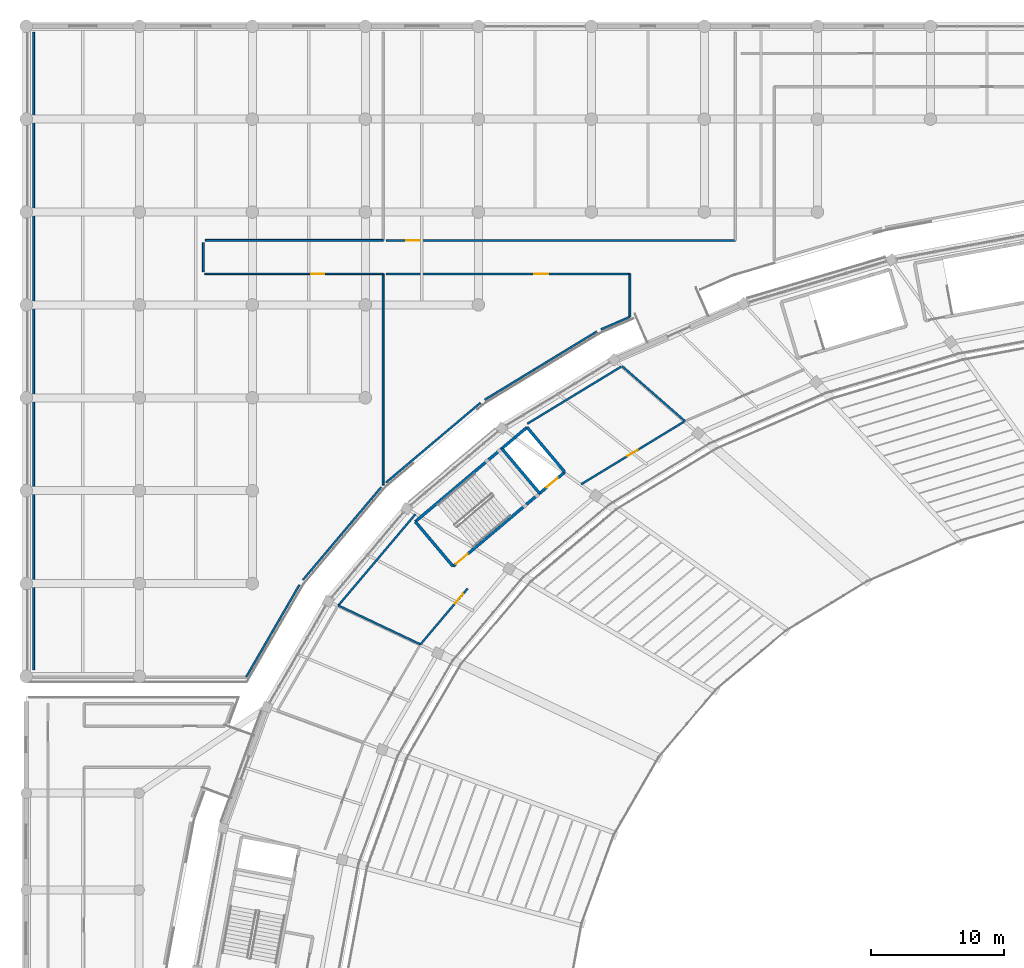
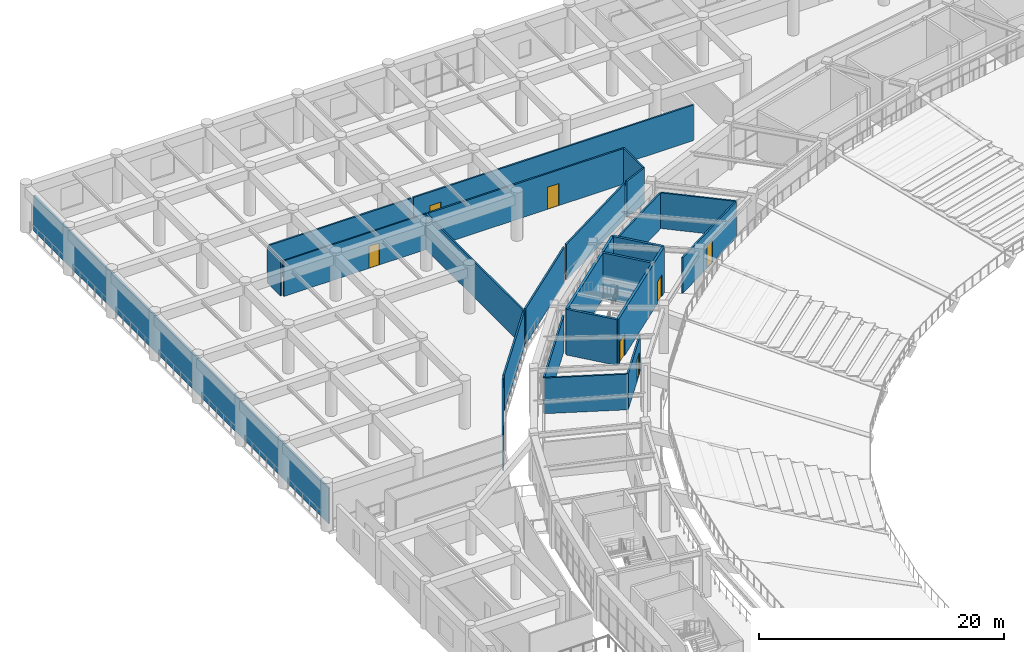
# One storey, part 102 of 137: 24 walls, 7 doors, 7 openings.
"""IFC4 building model written with IfcOpenShell, lengths in metres."""

from ifc_helpers import new_model, si_unit, direction, frame, frame_2d, origin, place, context, subcontext, project, spatial, rectangle, extrude, material, layer, layer_set, type_object, element, fill, save


model = new_model("IFC4")

# Units and contexts
model_context = context("Model", 3, precision=1e-05, world=origin(), true_north=direction((0.0, 1.0)))
body_context = subcontext(model_context, "Body", "Model", "MODEL_VIEW")
ifc_project = project(units=[si_unit("LENGTHUNIT", "METRE"), si_unit("AREAUNIT", "SQUARE_METRE"), si_unit("VOLUMEUNIT", "CUBIC_METRE"), si_unit("PLANEANGLEUNIT", "RADIAN"), si_unit("MASSUNIT", "GRAM", prefix="KILO")], contexts=[model_context])

# Site, building, storey
site_placement = place(None, origin())
site = spatial("IfcSite", under=ifc_project, at=site_placement, CompositionType="ELEMENT")
building_placement = place(site_placement, origin())
building = spatial("IfcBuilding", under=site, at=building_placement, Name="Mphavela Belvedere Stadium", CompositionType="ELEMENT")
storey_placement = place(building_placement, frame((0.0, 0.0, 19.199951171875)))
storey = spatial("IfcBuildingStorey", under=building, at=storey_placement, Name="L04", CompositionType="ELEMENT", Elevation=19.199951171875)

# Walls
ifc_material_1 = material(Name="Concrete C40/50", Category="concrete")
ifc_layer_1 = layer(ifc_material_1, 0.219970703125)
ifc_layer_set_1 = layer_set([ifc_layer_1], Name="Concrete C40/50")
wall_type_1 = type_object("IfcWallType", Name="WAL-CORE-SHEAR-220", PredefinedType="SHEAR", material=ifc_layer_set_1)
wall_1_placement = place(storey_placement, frame((29.318603515625, 136.666015625, 0.0), z_axis=(0.0, 0.0, 1.0), x_axis=(0.764247804305, 0.644922703598, 0.0)))
element("IfcWall", 1, at=wall_1_placement, inside=storey, type_object=wall_type_1, Name="Core C05 shear wall L04 rear", PredefinedType="SHEAR", context=body_context, shape_type="SweptSolid", body=[
    extrude(rectangle(XDim=11.019775390625, YDim=0.219970703125, at=frame_2d((5.509765625, 0.0))), origin(), (0.0, 0.0, 1.0), 4.550048828125),
])
wall_2_placement = place(storey_placement, frame((32.16259765625, 133.295654296875, 0.0), z_axis=(0.0, 0.0, 1.0), x_axis=(-0.644904288042, 0.764263344185, 0.0)))
element("IfcWall", 2, at=wall_2_placement, inside=storey, type_object=wall_type_1, Name="Core C05 shear wall L04 left", PredefinedType="SHEAR", context=body_context, shape_type="SweptSolid", body=[
    extrude(rectangle(XDim=4.409912109375, YDim=0.219970703125, at=frame_2d((2.205078125, 0.0))), origin(), (0.0, 0.0, 1.0), 4.550048828125),
])
wall_3_placement = place(storey_placement, frame((40.584716796875, 140.402587890625, 0.0), z_axis=(0.0, 0.0, 1.0), x_axis=(-0.644936622785, 0.764236058159, 0.0)))
element("IfcWall", 3, at=wall_3_placement, inside=storey, type_object=wall_type_1, Name="Core C05 shear wall L04 right", PredefinedType="SHEAR", context=body_context, shape_type="SweptSolid", body=[
    extrude(rectangle(XDim=4.41015625, YDim=0.219970703125, at=frame_2d((2.205078125, 0.0))), origin(), (0.0, 0.0, 1.0), 4.550048828125),
])

# Wall, openings, doors
wall_4_placement = place(storey_placement, frame((32.16259765625, 133.295654296875, 0.0), z_axis=(0.0, 0.0, 1.0), x_axis=(0.764257018762, 0.644911784102, 0.0)))
wall_4 = element("IfcWall", 4, at=wall_4_placement, inside=storey, type_object=wall_type_1, Name="Core C05 shear wall L04 front", PredefinedType="SHEAR", context=body_context, shape_type="SweptSolid", body=[
    extrude(rectangle(XDim=11.02001953125, YDim=0.219970703125, at=frame_2d((5.510009765625, 0.0))), origin(), (0.0, 0.0, 1.0), 4.550048828125),
])
opening_1_placement = place(wall_4_placement, frame((0.300048828125, 0.0, 0.0)))
opening_1 = element("IfcOpeningElement", 5, at=opening_1_placement, cuts=wall_4, Name="Opening SD-025", PredefinedType="OPENING", context=body_context, shape_type="SweptSolid", body=[
    extrude(rectangle(XDim=1.14990234375, YDim=2.14990234375, at=frame_2d((0.574951171875, 1.074951171875))), frame((0.0, 0.1201171875, 0.0), z_axis=(0.0, -1.0, 0.0), x_axis=(1.0, 0.0, 0.0)), (0.0, 0.0, 1.0), 0.239990234375),
])
opening_2_placement = place(wall_4_placement, frame((9.22998046875, 0.0, 0.0)))
opening_2 = element("IfcOpeningElement", 6, at=opening_2_placement, cuts=wall_4, Name="Opening LD-025", PredefinedType="OPENING", context=body_context, shape_type="SweptSolid", body=[
    extrude(rectangle(XDim=1.10009765625, YDim=2.14990234375, at=frame_2d((0.550048828125, 1.074951171875))), frame((0.0, 0.1201171875, 0.0), z_axis=(0.0, -1.0, 0.0), x_axis=(1.0, 0.0, 0.0)), (0.0, 0.0, 1.0), 0.239990234375),
])
ifc_material_2 = material(Name="Stainless steel center-parting lift landing door", Category="steel")
door_type_1 = type_object("IfcDoorType", Name="DR-LIFT-SLIDE-1100", OperationType="NOTDEFINED", PredefinedType="DOOR", material=ifc_material_2)
door_1_placement = place(opening_2_placement, origin())
door_1 = element("IfcDoor", 7, at=door_1_placement, inside=storey, type_object=door_type_1, Name="Lift landing sliding door PL02 L04", OperationType="DOUBLE_DOOR_SLIDING", OverallHeight=2.14990234375, OverallWidth=1.10009765625, PredefinedType="DOOR", context=body_context, shape_type="SweptSolid", body=[
    extrude(rectangle(XDim=1.10009765625, YDim=2.14990234375, at=frame_2d((0.550048828125, 1.074951171875))), frame((0.0, 0.02490234375, 0.0), z_axis=(0.0, -1.0, 0.0), x_axis=(1.0, 0.0, 0.0)), (0.0, 0.0, 1.0), 0.050048828125),
])
fill(opening_2, door_1)
ifc_material_3 = material(Name="Steel acoustic fire-resisting stair doorset", Category="steel")
door_type_2 = type_object("IfcDoorType", Name="DR-STAIR-FIRE-1150", OperationType="NOTDEFINED", PredefinedType="DOOR", material=ifc_material_3)
door_2_placement = place(opening_1_placement, origin())
door_2 = element("IfcDoor", 8, at=door_2_placement, inside=storey, type_object=door_type_2, Name="Escape stair fire door C05 L04", OperationType="SINGLE_SWING_LEFT", OverallHeight=2.14990234375, OverallWidth=1.14990234375, PredefinedType="DOOR", context=body_context, shape_type="SweptSolid", body=[
    extrude(rectangle(XDim=1.14990234375, YDim=2.14990234375, at=frame_2d((0.574951171875, 1.074951171875))), frame((0.0, 0.02490234375, 0.0), z_axis=(0.0, -1.0, 0.0), x_axis=(1.0, 0.0, 0.0)), (0.0, 0.0, 1.0), 0.050048828125),
])
fill(opening_1, door_2)

# Wall
wall_5_placement = place(storey_placement, frame((38.689208984375, 138.80322265625, 0.0), z_axis=(0.0, 0.0, 1.0), x_axis=(-0.644904288042, 0.764263344185, 0.0)))
element("IfcWall", 9, at=wall_5_placement, inside=storey, type_object=wall_type_1, Name="Core C05 shear wall L04 div", PredefinedType="SHEAR", context=body_context, shape_type="SweptSolid", body=[
    extrude(rectangle(XDim=4.409912109375, YDim=0.219970703125, at=frame_2d((2.205078125, 0.0))), origin(), (0.0, 0.0, 1.0), 4.550048828125),
])

# Wall, opening, door
ifc_material_4 = material(Name="Moisture-resistant sanitary partition assembly")
ifc_layer_2 = layer(ifc_material_4, 0.125)
ifc_layer_set_2 = layer_set([ifc_layer_2], Name="Moisture-resistant sanitary partition assembly")
wall_type_2 = type_object("IfcWallType", Name="WAL-PART-125", PredefinedType="PARTITIONING", material=ifc_layer_set_2)
wall_6_placement = place(storey_placement, frame((13.46875, 155.343017578125, 0.0), z_axis=(0.0, 0.0, 1.0), x_axis=(0.99999997621, -0.00021812629, 0.0)))
wall_6 = element("IfcWall", 10, at=wall_6_placement, inside=storey, type_object=wall_type_2, Name="Room L04-114 corridor partition", PredefinedType="PARTITIONING", context=body_context, shape_type="SweptSolid", body=[
    extrude(rectangle(XDim=13.43115234375, YDim=0.125, at=frame_2d((6.715576171875, 0.0))), origin(), (0.0, 0.0, 1.0), 3.550048828125),
])
opening_3_placement = place(wall_6_placement, frame((7.997314453125, 0.0, 0.0)))
opening_3 = element("IfcOpeningElement", 11, at=opening_3_placement, cuts=wall_6, Name="Opening ID-483", PredefinedType="OPENING", context=body_context, shape_type="SweptSolid", body=[
    extrude(rectangle(XDim=0.97998046875, YDim=2.199951171875, at=frame_2d((0.489990234375, 1.10009765625))), frame((0.0, 0.072509765625, 0.0), z_axis=(0.0, -1.0, 0.0), x_axis=(1.0, 0.0, 0.0)), (0.0, 0.0, 1.0), 0.14501953125),
])
ifc_material_5 = material(Name="Hardwood acoustic timber doorset", Category="wood")
door_type_3 = type_object("IfcDoorType", Name="DR-INT-15", OperationType="NOTDEFINED", PredefinedType="DOOR", material=ifc_material_5)
door_3_placement = place(opening_3_placement, origin())
door_3 = element("IfcDoor", 12, at=door_3_placement, inside=storey, type_object=door_type_3, Name="Room L04-114 entrance door ID-483", OperationType="SINGLE_SWING_LEFT", OverallHeight=2.199951171875, OverallWidth=0.97998046875, PredefinedType="DOOR", context=body_context, shape_type="SweptSolid", body=[
    extrude(rectangle(XDim=0.97998046875, YDim=2.199951171875, at=frame_2d((0.489990234375, 1.10009765625))), frame((0.0, 0.02490234375, 0.0), z_axis=(0.0, -1.0, 0.0), x_axis=(1.0, 0.0, 0.0)), (0.0, 0.0, 1.0), 0.050048828125),
])
fill(opening_3, door_3)

ifc_material_6 = material(Name="Acoustic gypsum stud partition assembly")
ifc_layer_3 = layer(ifc_material_6, 0.14990234375)
ifc_layer_set_3 = layer_set([ifc_layer_3], Name="Acoustic gypsum stud partition assembly")
wall_type_3 = type_object("IfcWallType", Name="WAL-PART-150", PredefinedType="PARTITIONING", material=ifc_layer_set_3)
wall_7_placement = place(storey_placement, frame((49.572021484375, 144.197998046875, 0.0), z_axis=(0.0, 0.0, 1.0), x_axis=(-0.85432634766, -0.519736944707, 0.0)))
wall_7 = element("IfcWall", 13, at=wall_7_placement, inside=storey, type_object=wall_type_3, Name="Room L04-59 corridor partition", PredefinedType="PARTITIONING", context=body_context, shape_type="SweptSolid", body=[
    extrude(rectangle(XDim=9.073486328125, YDim=0.14990234375, at=frame_2d((4.53662109375, 0.0))), origin(), (0.0, 0.0, 1.0), 3.550048828125),
])
opening_4_placement = place(wall_7_placement, frame((4.086669921875, 0.0, 0.0)))
opening_4 = element("IfcOpeningElement", 14, at=opening_4_placement, cuts=wall_7, Name="Opening ID-337", PredefinedType="OPENING", context=body_context, shape_type="SweptSolid", body=[
    extrude(rectangle(XDim=0.89990234375, YDim=2.199951171875, at=frame_2d((0.449951171875, 1.10009765625))), frame((0.0, 0.0849609375, 0.0), z_axis=(0.0, -1.0, 0.0), x_axis=(1.0, 0.0, 0.0)), (0.0, 0.0, 1.0), 0.169921875),
])
ifc_material_7 = material(Name="Hardwood acoustic timber doorset", Category="wood")
door_type_4 = type_object("IfcDoorType", Name="DR-INT-13", OperationType="NOTDEFINED", PredefinedType="DOOR", material=ifc_material_7)
door_4_placement = place(opening_4_placement, origin())
door_4 = element("IfcDoor", 15, at=door_4_placement, inside=storey, type_object=door_type_4, Name="Room L04-59 entrance door ID-337", OperationType="SINGLE_SWING_LEFT", OverallHeight=2.199951171875, OverallWidth=0.89990234375, PredefinedType="DOOR", context=body_context, shape_type="SweptSolid", body=[
    extrude(rectangle(XDim=0.89990234375, YDim=2.199951171875, at=frame_2d((0.449951171875, 1.10009765625))), frame((0.0, 0.02490234375, 0.0), z_axis=(0.0, -1.0, 0.0), x_axis=(1.0, 0.0, 0.0)), (0.0, 0.0, 1.0), 0.050048828125),
])
fill(opening_4, door_4)

wall_8_placement = place(storey_placement, frame((33.260498046875, 131.622314453125, 0.0), z_axis=(0.0, 0.0, 1.0), x_axis=(-0.645138826346, -0.764065373343, 0.0)))
wall_8 = element("IfcWall", 16, at=wall_8_placement, inside=storey, type_object=wall_type_3, Name="Room L04-62 corridor partition", PredefinedType="PARTITIONING", context=body_context, shape_type="SweptSolid", body=[
    extrude(rectangle(XDim=5.505859375, YDim=0.14990234375, at=frame_2d((2.7529296875, 0.0))), origin(), (0.0, 0.0, 1.0), 3.550048828125),
])
opening_5_placement = place(wall_8_placement, frame((0.516357421875, 0.0, 0.0)))
opening_5 = element("IfcOpeningElement", 17, at=opening_5_placement, cuts=wall_8, Name="Opening ID-338", PredefinedType="OPENING", context=body_context, shape_type="SweptSolid", body=[
    extrude(rectangle(XDim=0.93994140625, YDim=2.199951171875, at=frame_2d((0.469970703125, 1.10009765625))), frame((0.0, 0.0849609375, 0.0), z_axis=(0.0, -1.0, 0.0), x_axis=(1.0, 0.0, 0.0)), (0.0, 0.0, 1.0), 0.169921875),
])
ifc_material_8 = material(Name="Hardwood acoustic timber doorset", Category="wood")
door_type_5 = type_object("IfcDoorType", Name="DR-INT-14", OperationType="NOTDEFINED", PredefinedType="DOOR", material=ifc_material_8)
door_5_placement = place(opening_5_placement, origin())
door_5 = element("IfcDoor", 18, at=door_5_placement, inside=storey, type_object=door_type_5, Name="Room L04-62 entrance door ID-338", OperationType="SINGLE_SWING_RIGHT", OverallHeight=2.199951171875, OverallWidth=0.93994140625, PredefinedType="DOOR", context=body_context, shape_type="SweptSolid", body=[
    extrude(rectangle(XDim=0.93994140625, YDim=2.199951171875, at=frame_2d((0.469970703125, 1.10009765625))), frame((0.0, 0.02490234375, 0.0), z_axis=(0.0, -1.0, 0.0), x_axis=(1.0, 0.0, 0.0)), (0.0, 0.0, 1.0), 0.050048828125),
])
fill(opening_5, door_5)

wall_9_placement = place(storey_placement, frame((53.449951171875, 157.860107421875, 0.0), z_axis=(0.0, 0.0, 1.0), x_axis=(-1.0, 0.0, 0.0)))
wall_9 = element("IfcWall", 19, at=wall_9_placement, inside=storey, type_object=wall_type_3, Name="Room L04-115 corridor partition", PredefinedType="PARTITIONING", context=body_context, shape_type="SweptSolid", body=[
    extrude(rectangle(XDim=26.349853515625, YDim=0.14990234375, at=frame_2d((13.1748046875, 0.0))), origin(), (0.0, 0.0, 1.0), 3.550048828125),
])
opening_6_placement = place(wall_9_placement, frame((23.775390625, 0.0, 0.0)))
opening_6 = element("IfcOpeningElement", 20, at=opening_6_placement, cuts=wall_9, Name="Opening ID-484", PredefinedType="OPENING", context=body_context, shape_type="SweptSolid", body=[
    extrude(rectangle(XDim=1.02001953125, YDim=2.199951171875, at=frame_2d((0.510009765625, 1.10009765625))), frame((0.0, 0.0849609375, 0.0), z_axis=(0.0, -1.0, 0.0), x_axis=(1.0, 0.0, 0.0)), (0.0, 0.0, 1.0), 0.169921875),
])
ifc_material_9 = material(Name="Hardwood acoustic timber doorset", Category="wood")
door_type_6 = type_object("IfcDoorType", Name="DR-INT-16", OperationType="NOTDEFINED", PredefinedType="DOOR", material=ifc_material_9)
door_6_placement = place(opening_6_placement, origin())
door_6 = element("IfcDoor", 21, at=door_6_placement, inside=storey, type_object=door_type_6, Name="Room L04-115 entrance door ID-484", OperationType="SINGLE_SWING_RIGHT", OverallHeight=2.199951171875, OverallWidth=1.02001953125, PredefinedType="DOOR", context=body_context, shape_type="SweptSolid", body=[
    extrude(rectangle(XDim=1.02001953125, YDim=2.199951171875, at=frame_2d((0.510009765625, 1.10009765625))), frame((0.0, 0.02490234375, 0.0), z_axis=(0.0, -1.0, 0.0), x_axis=(1.0, 0.0, 0.0)), (0.0, 0.0, 1.0), 0.050048828125),
])
fill(opening_6, door_6)

wall_10_placement = place(storey_placement, frame((27.10009765625, 155.340087890625, 0.0), z_axis=(0.0, 0.0, 1.0), x_axis=(1.0, 0.0, 0.0)))
wall_10 = element("IfcWall", 22, at=wall_10_placement, inside=storey, type_object=wall_type_3, Name="Room L04-116 corridor partition", PredefinedType="PARTITIONING", context=body_context, shape_type="SweptSolid", body=[
    extrude(rectangle(XDim=18.389892578125, YDim=0.14990234375, at=frame_2d((9.19482421875, 0.0))), origin(), (0.0, 0.0, 1.0), 3.550048828125),
])
opening_7_placement = place(wall_10_placement, frame((11.16845703125, 0.0, 0.0)))
opening_7 = element("IfcOpeningElement", 23, at=opening_7_placement, cuts=wall_10, Name="Opening ID-485", PredefinedType="OPENING", context=body_context, shape_type="SweptSolid", body=[
    extrude(rectangle(XDim=1.06005859375, YDim=2.199951171875, at=frame_2d((0.530029296875, 1.10009765625))), frame((0.0, 0.0849609375, 0.0), z_axis=(0.0, -1.0, 0.0), x_axis=(1.0, 0.0, 0.0)), (0.0, 0.0, 1.0), 0.169921875),
])
ifc_material_10 = material(Name="Hardwood acoustic timber doorset", Category="wood")
door_type_7 = type_object("IfcDoorType", Name="DR-INT-17", OperationType="NOTDEFINED", PredefinedType="DOOR", material=ifc_material_10)
door_7_placement = place(opening_7_placement, origin())
door_7 = element("IfcDoor", 24, at=door_7_placement, inside=storey, type_object=door_type_7, Name="Room L04-116 entrance door ID-485", OperationType="SINGLE_SWING_LEFT", OverallHeight=2.199951171875, OverallWidth=1.06005859375, PredefinedType="DOOR", context=body_context, shape_type="SweptSolid", body=[
    extrude(rectangle(XDim=1.06005859375, YDim=2.199951171875, at=frame_2d((0.530029296875, 1.10009765625))), frame((0.0, 0.02490234375, 0.0), z_axis=(0.0, -1.0, 0.0), x_axis=(1.0, 0.0, 0.0)), (0.0, 0.0, 1.0), 0.050048828125),
])
fill(opening_7, door_7)

# Walls
wall_11_placement = place(storey_placement, frame((49.646484375, 144.239013671875, 0.0), z_axis=(0.0, 0.0, 1.0), x_axis=(-0.752567080438, 0.658515595442, 0.0)))
element("IfcWall", 25, at=wall_11_placement, inside=storey, type_object=wall_type_3, Name="Room divider partition L04-0605", PredefinedType="PARTITIONING", context=body_context, shape_type="SweptSolid", body=[
    extrude(rectangle(XDim=6.292236328125, YDim=0.14990234375, at=frame_2d((3.14599609375, 0.0))), origin(), (0.0, 0.0, 1.0), 3.550048828125),
])
wall_12_placement = place(storey_placement, frame((37.76171875, 144.04248046875, 0.0), z_axis=(0.0, 0.0, 1.0), x_axis=(0.85430675497, 0.519769149154, 0.0)))
element("IfcWall", 26, at=wall_12_placement, inside=storey, type_object=wall_type_3, Name="Room divider partition L04-0606", PredefinedType="PARTITIONING", context=body_context, shape_type="SweptSolid", body=[
    extrude(rectangle(XDim=8.27734375, YDim=0.14990234375, at=frame_2d((4.138671875, 0.0))), origin(), (0.0, 0.0, 1.0), 3.550048828125),
])
wall_13_placement = place(storey_placement, frame((29.70849609375, 127.41552734375, 0.0), z_axis=(0.0, 0.0, 1.0), x_axis=(-0.903864816712, 0.42781817763, 0.0)))
element("IfcWall", 27, at=wall_13_placement, inside=storey, type_object=wall_type_3, Name="Room divider partition L04-0607", PredefinedType="PARTITIONING", context=body_context, shape_type="SweptSolid", body=[
    extrude(rectangle(XDim=6.84912109375, YDim=0.14990234375, at=frame_2d((3.424560546875, 0.0))), origin(), (0.0, 0.0, 1.0), 3.550048828125),
])
wall_14_placement = place(storey_placement, frame((23.517822265625, 130.345703125, 0.0), z_axis=(0.0, 0.0, 1.0), x_axis=(0.645159696095, 0.764047751475, 0.0)))
element("IfcWall", 28, at=wall_14_placement, inside=storey, type_object=wall_type_3, Name="Room divider partition L04-0608", PredefinedType="PARTITIONING", context=body_context, shape_type="SweptSolid", body=[
    extrude(rectangle(XDim=8.99658203125, YDim=0.14990234375, at=frame_2d((4.498291015625, 0.0))), origin(), (0.0, 0.0, 1.0), 3.550048828125),
])
wall_15_placement = place(storey_placement, frame((13.340087890625, 157.699951171875, 0.0), z_axis=(0.0, 0.0, 1.0), x_axis=(0.000330578494, -0.999999945359, 0.0)))
element("IfcWall", 29, at=wall_15_placement, inside=storey, type_object=wall_type_3, Name="Room divider partition L04-1086", PredefinedType="PARTITIONING", context=body_context, shape_type="SweptSolid", body=[
    extrude(rectangle(XDim=2.215576171875, YDim=0.14990234375, at=frame_2d((1.10791015625, 0.0))), origin(), (0.0, 0.0, 1.0), 3.550048828125),
])
wall_16_placement = place(storey_placement, frame((26.89990234375, 155.340087890625, 0.0), z_axis=(0.0, 0.0, 1.0), x_axis=(0.0, -1.0, 0.0)))
element("IfcWall", 30, at=wall_16_placement, inside=storey, type_object=wall_type_3, Name="Room divider partition L04-1087", PredefinedType="PARTITIONING", context=body_context, shape_type="SweptSolid", body=[
    extrude(rectangle(XDim=15.9130859375, YDim=0.14990234375, at=frame_2d((7.95654296875, 0.0))), origin(), (0.0, 0.0, 1.0), 3.550048828125),
])
wall_17_placement = place(storey_placement, frame((26.751708984375, 139.266357421875, 0.0), z_axis=(0.0, 0.0, 1.0), x_axis=(-0.645180125691, -0.764030500316, 0.0)))
element("IfcWall", 31, at=wall_17_placement, inside=storey, type_object=wall_type_3, Name="Room divider partition L04-1088", PredefinedType="PARTITIONING", context=body_context, shape_type="SweptSolid", body=[
    extrude(rectangle(XDim=9.1513671875, YDim=0.14990234375, at=frame_2d((4.57568359375, 0.0))), origin(), (0.0, 0.0, 1.0), 3.550048828125),
])
wall_18_placement = place(storey_placement, frame((20.59326171875, 131.912841796875, 0.0), z_axis=(0.0, 0.0, 1.0), x_axis=(-0.500545605998, -0.865710168773, 0.0)))
element("IfcWall", 32, at=wall_18_placement, inside=storey, type_object=wall_type_3, Name="Room divider partition L04-1089", PredefinedType="PARTITIONING", context=body_context, shape_type="SweptSolid", body=[
    extrude(rectangle(XDim=8.04296875, YDim=0.14990234375, at=frame_2d((4.021484375, 0.0))), origin(), (0.0, 0.0, 1.0), 3.550048828125),
])
wall_19_placement = place(storey_placement, frame((0.550048828125, 125.5, 0.0), z_axis=(0.0, 0.0, 1.0), x_axis=(0.0, 1.0, 0.0)))
element("IfcWall", 33, at=wall_19_placement, inside=storey, type_object=wall_type_3, Name="Room divider partition L04-1091", PredefinedType="PARTITIONING", context=body_context, shape_type="SweptSolid", body=[
    extrude(rectangle(XDim=48.050048828125, YDim=0.14990234375, at=frame_2d((24.02490234375, 0.0))), origin(), (0.0, 0.0, 1.0), 3.550048828125),
])
wall_20_placement = place(storey_placement, frame((26.89990234375, 157.860107421875, 0.0), z_axis=(0.0, 0.0, 1.0), x_axis=(-1.0, 0.0, 0.0)))
element("IfcWall", 34, at=wall_20_placement, inside=storey, type_object=wall_type_3, Name="Room divider partition L04-1093", PredefinedType="PARTITIONING", context=body_context, shape_type="SweptSolid", body=[
    extrude(rectangle(XDim=13.39990234375, YDim=0.14990234375, at=frame_2d((6.699951171875, 0.0))), origin(), (0.0, 0.0, 1.0), 3.550048828125),
])
wall_21_placement = place(storey_placement, frame((45.489990234375, 155.340087890625, 0.0), z_axis=(0.0, 0.0, 1.0), x_axis=(0.0, -1.0, 0.0)))
element("IfcWall", 35, at=wall_21_placement, inside=storey, type_object=wall_type_3, Name="Room divider partition L04-1095", PredefinedType="PARTITIONING", context=body_context, shape_type="SweptSolid", body=[
    extrude(rectangle(XDim=3.240234375, YDim=0.14990234375, at=frame_2d((1.6201171875, 0.0))), origin(), (0.0, 0.0, 1.0), 3.550048828125),
])
wall_22_placement = place(storey_placement, frame((45.489990234375, 152.099853515625, 0.0), z_axis=(0.0, 0.0, 1.0), x_axis=(-0.917484400903, -0.397771761314, 0.0)))
element("IfcWall", 36, at=wall_22_placement, inside=storey, type_object=wall_type_3, Name="Room divider partition L04-1096", PredefinedType="PARTITIONING", context=body_context, shape_type="SweptSolid", body=[
    extrude(rectangle(XDim=2.37646484375, YDim=0.14990234375, at=frame_2d((1.188232421875, 0.0))), origin(), (0.0, 0.0, 1.0), 3.550048828125),
])
wall_23_placement = place(storey_placement, frame((43.00439453125, 150.99658203125, 0.0), z_axis=(0.0, 0.0, 1.0), x_axis=(-0.854333268174, -0.519725568826, 0.0)))
element("IfcWall", 37, at=wall_23_placement, inside=storey, type_object=wall_type_3, Name="Room divider partition L04-1097", PredefinedType="PARTITIONING", context=body_context, shape_type="SweptSolid", body=[
    extrude(rectangle(XDim=9.90185546875, YDim=0.14990234375, at=frame_2d((4.950927734375, 0.0))), origin(), (0.0, 0.0, 1.0), 3.550048828125),
])
wall_24_placement = place(storey_placement, frame((34.232177734375, 145.625244140625, 0.0), z_axis=(0.0, 0.0, 1.0), x_axis=(-0.764245949545, -0.644924901523, 0.0)))
element("IfcWall", 38, at=wall_24_placement, inside=storey, type_object=wall_type_3, Name="Room divider partition L04-1098", PredefinedType="PARTITIONING", context=body_context, shape_type="SweptSolid", body=[
    extrude(rectangle(XDim=9.332275390625, YDim=0.14990234375, at=frame_2d((4.666015625, 0.0))), origin(), (0.0, 0.0, 1.0), 3.550048828125),
])

save(model, "model.ifc")
